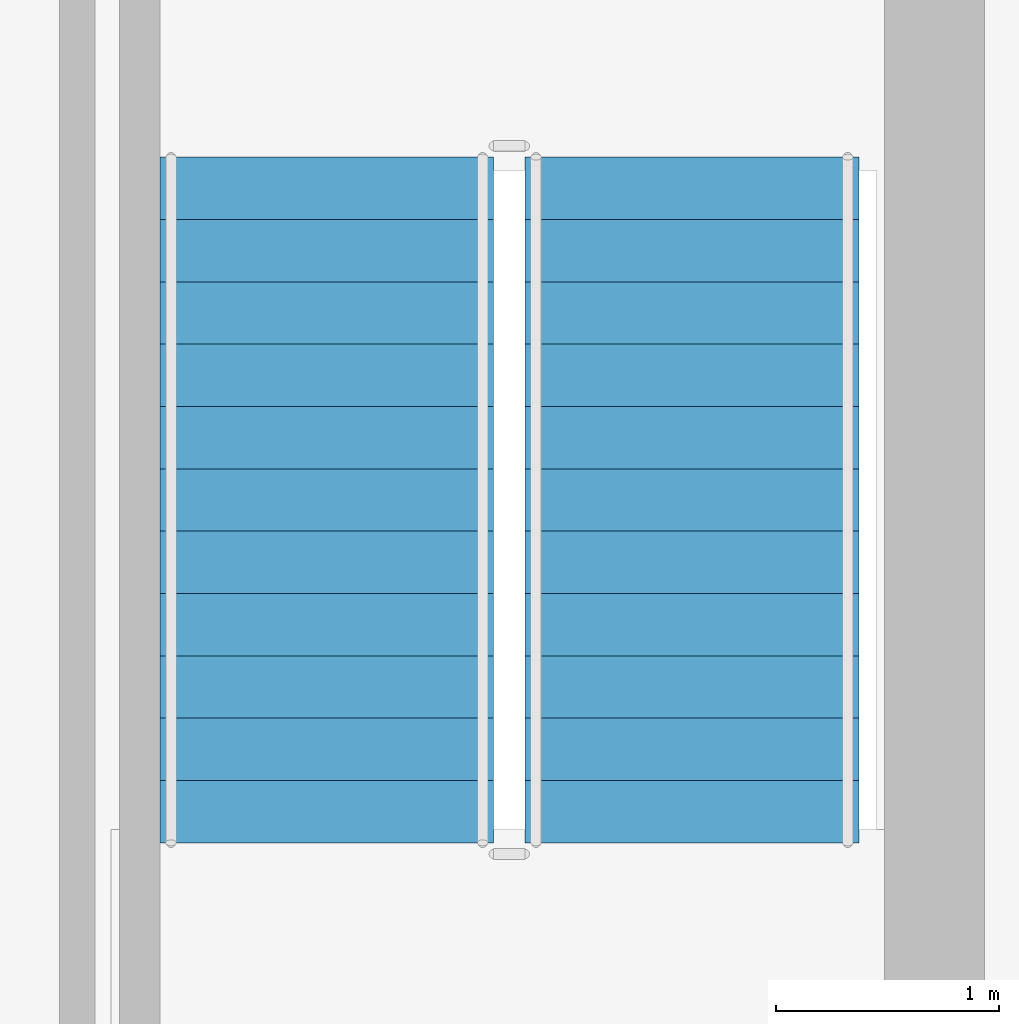
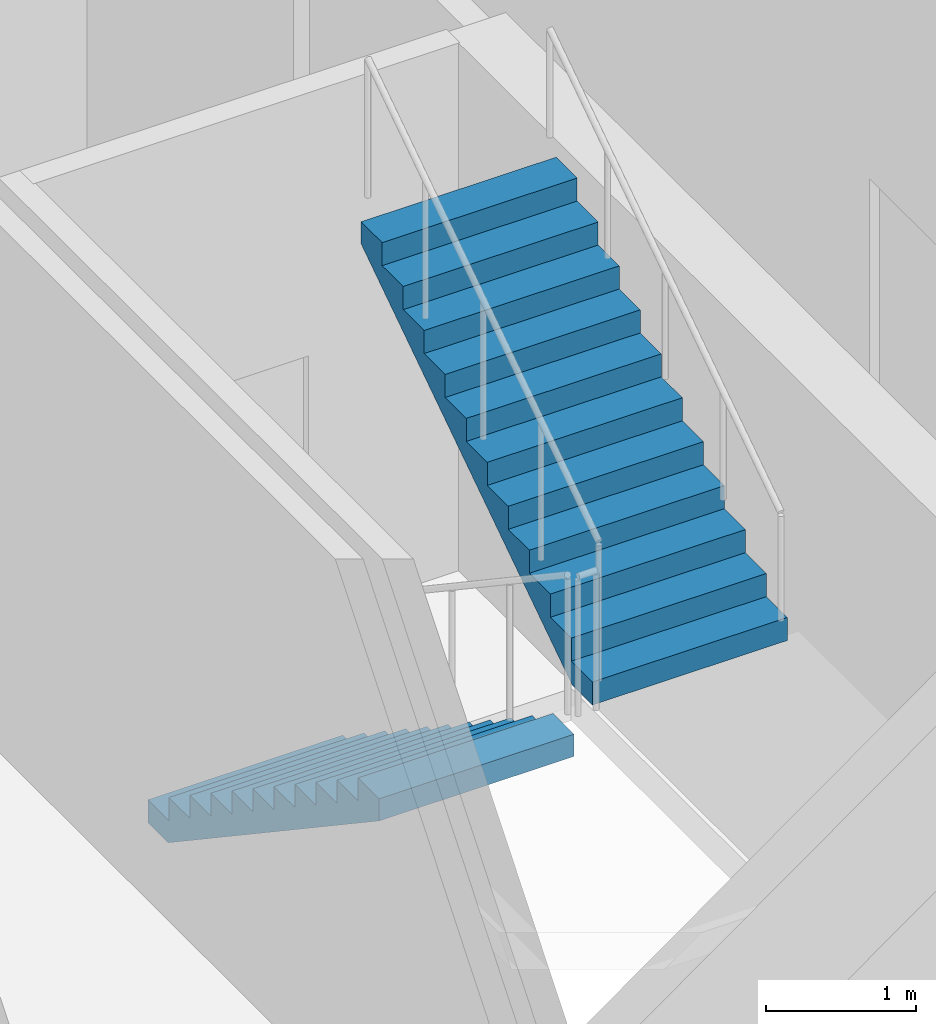
# One storey, part 12 of 17: 2 stair flights, 1 element without a shape of its own.
"""IFC4 building model written with IfcOpenShell, lengths in metres."""

from ifc_helpers import new_model, si_unit, direction, frame, origin, place, context, subcontext, project, spatial, polyline, outline, extrude, material, type_object, element, aggregate, save


model = new_model("IFC4")

# Units and contexts
model_context = context("Model", 3, precision=1e-05, world=origin(), true_north=direction((0.0, 1.0)))
body_context = subcontext(model_context, "Body", "Model", "MODEL_VIEW")
ifc_project = project(units=[si_unit("LENGTHUNIT", "METRE"), si_unit("AREAUNIT", "SQUARE_METRE"), si_unit("VOLUMEUNIT", "CUBIC_METRE"), si_unit("PLANEANGLEUNIT", "RADIAN"), si_unit("MASSUNIT", "GRAM", prefix="KILO")], contexts=[model_context])

# Site, building, storey
site_placement = place(None, origin())
site = spatial("IfcSite", under=ifc_project, at=site_placement, CompositionType="ELEMENT")
building_placement = place(site_placement, origin())
building = spatial("IfcBuilding", under=site, at=building_placement, Name="Cairnveth Concourse Tower", CompositionType="ELEMENT")
storey_placement = place(building_placement, frame((0.0, 0.0, 276.0)))
storey = spatial("IfcBuildingStorey", under=building, at=storey_placement, Name="L76", CompositionType="ELEMENT", Elevation=276.0)

# Stair, stair flights
ifc_material = material(Name="Precast concrete N50 (50 MPa)", Category="concrete")
stair_type = type_object("IfcStairType", Name="CORE DOG-LEG FIRE STAIR 1500", PredefinedType="HALF_TURN_STAIR", material=ifc_material)
stair_placement = place(storey_placement, origin())
stair = element("IfcStair", 1, at=stair_placement, inside=storey, type_object=stair_type, Name="L76 Fire-Isolated Stair ST-2", PredefinedType="HALF_TURN_STAIR")
stair_flight_type = type_object("IfcStairFlightType", Name="PRECAST CONCRETE STAIR FLIGHT 1500", PredefinedType="STRAIGHT", material=ifc_material)
stair_flight_1_placement = place(storey_placement, frame((57.77001953125, 37.10009765625, 0.0), z_axis=(0.0, 0.0, 1.0), x_axis=(0.0, -1.0, 0.0)))
stair_flight_1 = element("IfcStairFlight", 2, at=stair_flight_1_placement, type_object=stair_flight_type, Name="ST-2 flight 1", NumberOfRisers=12, NumberOfTreads=11, PredefinedType="STRAIGHT", RiserHeight=0.1875, TreadLength=0.28, context=body_context, shape_type="SweptSolid", body=[
    extrude(outline(polyline([(0.0, 0.0), (0.0, 0.1875), (0.280029296875, 0.1875), (0.280029296875, 0.375), (0.56005859375, 0.375), (0.56005859375, 0.5625), (0.840087890625, 0.5625), (0.840087890625, 0.75), (1.1201171875, 0.75), (1.1201171875, 0.9375), (1.39990234375, 0.9375), (1.39990234375, 1.125), (1.679931640625, 1.125), (1.679931640625, 1.3125), (1.9599609375, 1.3125), (1.9599609375, 1.5), (2.239990234375, 1.5), (2.239990234375, 1.6875), (2.52001953125, 1.6875), (2.52001953125, 1.875), (2.800048828125, 1.875), (2.800048828125, 2.0625), (3.080078125, 2.0625), (3.080078125, 2.25), (3.080078125, 1.882080078125), (0.26953125, 0.0), (0.0, 0.0)])), frame((0.0, 0.75, 0.0), z_axis=(0.0, -1.0, 0.0), x_axis=(1.0, 0.0, 0.0)), (0.0, 0.0, 1.0), 1.5),
])
stair_flight_2_placement = place(storey_placement, frame((59.409912109375, 34.02001953125, 2.25), z_axis=(0.0, 0.0, 1.0), x_axis=(0.0, 1.0, 0.0)))
stair_flight_2 = element("IfcStairFlight", 3, at=stair_flight_2_placement, type_object=stair_flight_type, Name="ST-2 flight 2", NumberOfRisers=12, NumberOfTreads=11, PredefinedType="STRAIGHT", RiserHeight=0.1875, TreadLength=0.28, context=body_context, shape_type="SweptSolid", body=[
    extrude(outline(polyline([(0.0, 0.0), (0.0, 0.1875), (0.280029296875, 0.1875), (0.280029296875, 0.375), (0.56005859375, 0.375), (0.56005859375, 0.5625), (0.840087890625, 0.5625), (0.840087890625, 0.75), (1.1201171875, 0.75), (1.1201171875, 0.9375), (1.39990234375, 0.9375), (1.39990234375, 1.125), (1.679931640625, 1.125), (1.679931640625, 1.3125), (1.9599609375, 1.3125), (1.9599609375, 1.5), (2.239990234375, 1.5), (2.239990234375, 1.6875), (2.52001953125, 1.6875), (2.52001953125, 1.875), (2.800048828125, 1.875), (2.800048828125, 2.0625), (3.080078125, 2.0625), (3.080078125, 2.25), (3.080078125, 1.882080078125), (0.26953125, 0.0), (0.0, 0.0)])), frame((0.0, 0.75, 0.0), z_axis=(0.0, -1.0, 0.0), x_axis=(1.0, 0.0, 0.0)), (0.0, 0.0, 1.0), 1.5),
])
aggregate(stair, [stair_flight_1, stair_flight_2])

save(model, "model.ifc")
